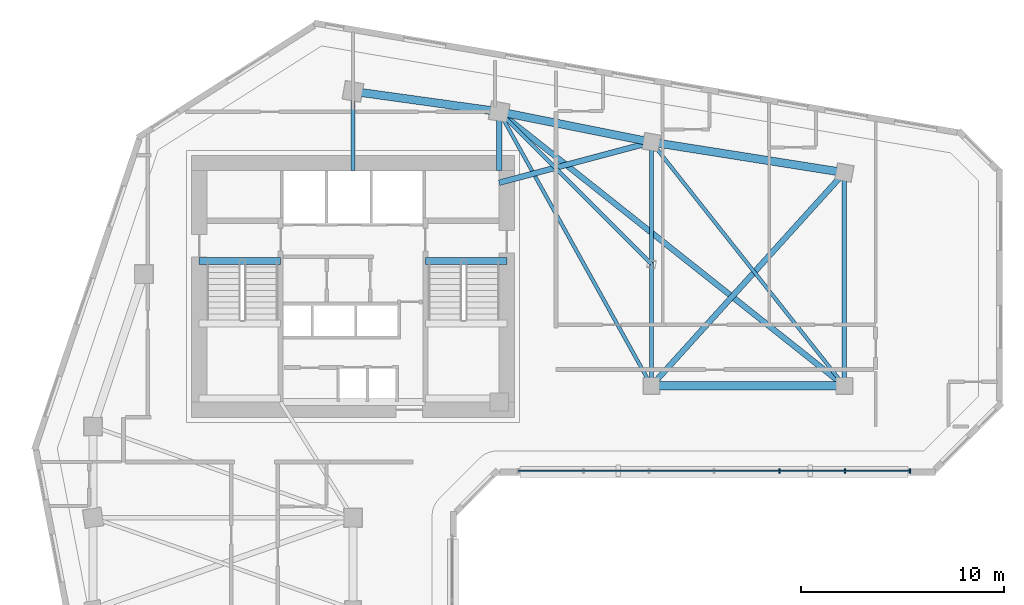
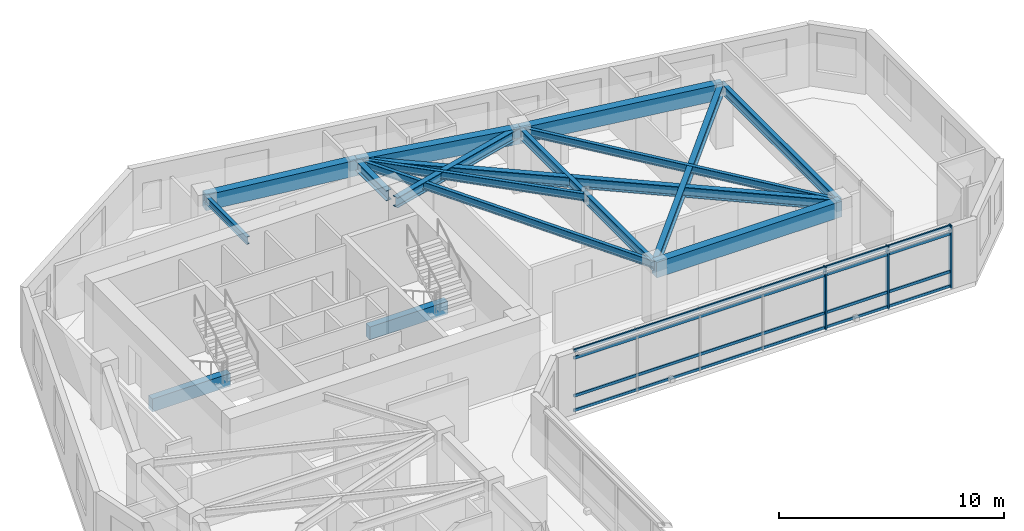
# One storey, part 3 of 11: 16 beams, 7 members, 1 element without a shape of its own.
"""IFC4 building model written with IfcOpenShell, lengths in metres."""

from ifc_helpers import new_model, si_unit, direction, frame, origin, origin_2d, place, context, subcontext, project, spatial, rectangle, i_section, extrude, source, transform, mapped, material, material_profile, profile_set, type_object, element, aggregate, save


model = new_model("IFC4")

# Units and contexts
model_context = context("Model", 3, precision=1e-05, world=origin(), true_north=direction((0.0, 1.0)))
body_context = subcontext(model_context, "Body", "Model", "MODEL_VIEW")
ifc_project = project(units=[si_unit("LENGTHUNIT", "METRE"), si_unit("AREAUNIT", "SQUARE_METRE"), si_unit("VOLUMEUNIT", "CUBIC_METRE"), si_unit("PLANEANGLEUNIT", "RADIAN"), si_unit("MASSUNIT", "GRAM", prefix="KILO")], contexts=[model_context])

# Site, building, storey
site_placement = place(None, origin())
site = spatial("IfcSite", under=ifc_project, at=site_placement, CompositionType="ELEMENT")
building_placement = place(site_placement, origin())
building = spatial("IfcBuilding", under=site, at=building_placement, Name="Calvemar Wedge Station Tower", CompositionType="ELEMENT")
storey_placement = place(building_placement, frame((0.0, 0.0, 114.199951171875)))
storey = spatial("IfcBuildingStorey", under=building, at=storey_placement, Name="L27", CompositionType="ELEMENT", Elevation=114.199951171875)

# Beams
ifc_material_1 = material(Name="Concrete C60", Category="concrete")
ifc_material_profile_1 = material_profile(ifc_material_1, rectangle(XDim=0.39990234375, YDim=0.85009765625, at=origin_2d()), Name="RC400x850")
ifc_profile_set_1 = profile_set([ifc_material_profile_1], Name="Concrete C60")
beam_type_1 = type_object("IfcBeamType", Name="BM-SP1-850", PredefinedType="SPANDREL", material=ifc_profile_set_1)
shared_shape_1 = source(origin(), body_context, "Body", "SweptSolid", [
    extrude(rectangle(XDim=0.39990234375, YDim=0.85009765625, at=origin_2d()), origin(), (0.0, 0.0, 1.0), 7.26904296875),
])
beam_1_placement = place(storey_placement, frame((23.800048828125, 49.5, 2.925048828125), z_axis=(0.990492146053, -0.13756928657, 0.0), x_axis=(0.13756928657, 0.990492146053, 0.0)))
element("IfcBeam", 1, at=beam_1_placement, inside=storey, type_object=beam_type_1, Name="Storey L27 Spandrel T-N1-T-N2", PredefinedType="SPANDREL", context=body_context, shape_type="MappedRepresentation", body=[
    mapped(shared_shape_1, transform((0.0, 0.0, 0.0), scale=1.0)),
])
shared_shape_2 = source(origin(), body_context, "Body", "SweptSolid", [
    extrude(rectangle(XDim=0.39990234375, YDim=0.85009765625, at=origin_2d()), origin(), (0.0, 0.0, 1.0), 7.6484375),
])
beam_2_placement = place(storey_placement, frame((31.0, 48.5, 2.925048828125), z_axis=(0.980580675691, -0.196116135138, 0.0), x_axis=(0.196116135138, 0.980580675691, 0.0)))
element("IfcBeam", 2, at=beam_2_placement, inside=storey, type_object=beam_type_1, Name="Storey L27 Spandrel T-N2-T-NU3", PredefinedType="SPANDREL", context=body_context, shape_type="MappedRepresentation", body=[
    mapped(shared_shape_2, transform((0.0, 0.0, 0.0), scale=1.0)),
])
shared_shape_3 = source(origin(), body_context, "Body", "SweptSolid", [
    extrude(rectangle(XDim=0.39990234375, YDim=0.85009765625, at=origin_2d()), origin(), (0.0, 0.0, 1.0), 9.61767578125),
])
beam_3_placement = place(storey_placement, frame((38.5, 47.0, 2.925048828125), z_axis=(0.987762965329, -0.155962573473, 0.0), x_axis=(0.155962573473, 0.987762965329, 0.0)))
element("IfcBeam", 3, at=beam_3_placement, inside=storey, type_object=beam_type_1, Name="Storey L27 Spandrel T-NU3-T-NU4", PredefinedType="SPANDREL", context=body_context, shape_type="MappedRepresentation", body=[
    mapped(shared_shape_3, transform((0.0, 0.0, 0.0), scale=1.0)),
])
shared_shape_4 = source(origin(), body_context, "Body", "SweptSolid", [
    extrude(rectangle(XDim=0.39990234375, YDim=0.85009765625, at=origin_2d()), origin(), (0.0, 0.0, 1.0), 9.5),
])
beam_4_placement = place(storey_placement, frame((38.5, 35.0, 2.925048828125), z_axis=(1.0, 0.0, 0.0), x_axis=(0.0, 1.0, 0.0)))
element("IfcBeam", 4, at=beam_4_placement, inside=storey, type_object=beam_type_1, Name="Storey L27 Spandrel T-NL2-T-NL3", PredefinedType="SPANDREL", context=body_context, shape_type="MappedRepresentation", body=[
    mapped(shared_shape_4, transform((0.0, 0.0, 0.0), scale=1.0)),
])
ifc_material_2 = material(Name="Structural steel ASTM A572 Grade 50", Category="steel")
ifc_material_profile_2 = material_profile(ifc_material_2, i_section(OverallWidth=0.177978515625, OverallDepth=0.406982421875, WebThickness=0.0078125, FlangeThickness=0.0126953125, FilletRadius=0.010009765625, at=origin_2d()), Name="W410x60")
ifc_profile_set_2 = profile_set([ifc_material_profile_2], Name="Structural steel ASTM A572 Grade 50")
beam_type_2 = type_object("IfcBeamType", Name="BM-J3-W410", PredefinedType="JOIST", material=ifc_profile_set_2)
shared_shape_5 = source(origin(), body_context, "Body", "SweptSolid", [
    extrude(i_section(OverallWidth=0.177978515625, OverallDepth=0.406982421875, WebThickness=0.0078125, FlangeThickness=0.0126953125, FilletRadius=0.010009765625, at=origin_2d()), origin(), (0.0, 0.0, 1.0), 15.443359375),
])
beam_5_placement = place(storey_placement, frame((31.0, 48.5, 3.146484375), z_axis=(0.485642931179, -0.874157276122, 0.0), x_axis=(0.874157276122, 0.485642931179, 0.0)))
element("IfcBeam", 5, at=beam_5_placement, inside=storey, type_object=beam_type_2, Name="Storey L27 Floor Beam T-N2-T-NL2", PredefinedType="JOIST", context=body_context, shape_type="MappedRepresentation", body=[
    mapped(shared_shape_5, transform((0.0, 0.0, 0.0), scale=1.0)),
])
ifc_material_profile_3 = material_profile(ifc_material_2, i_section(OverallWidth=0.279052734375, OverallDepth=0.553955078125, WebThickness=0.017578125, FlangeThickness=0.029541015625, FilletRadius=0.014892578125, at=origin_2d()), Name="W530x196")
ifc_profile_set_3 = profile_set([ifc_material_profile_3], Name="Structural steel ASTM A572 Grade 50")
beam_type_3 = type_object("IfcBeamType", Name="BM-SB3-W530H", PredefinedType="BEAM", material=ifc_profile_set_3)
shared_shape_6 = source(origin(), body_context, "Body", "SweptSolid", [
    extrude(i_section(OverallWidth=0.279052734375, OverallDepth=0.553955078125, WebThickness=0.017578125, FlangeThickness=0.029541015625, FilletRadius=0.014892578125, at=origin_2d()), origin(), (0.0, 0.0, 1.0), 21.708251953125),
])
beam_6_placement = place(storey_placement, frame((31.0, 48.5, 3.072998046875), z_axis=(0.783110847498, -0.621882143602, 0.0), x_axis=(0.621882143602, 0.783110847498, 0.0)))
element("IfcBeam", 6, at=beam_6_placement, inside=storey, type_object=beam_type_3, Name="Storey L27 Floor Beam T-N2-T-NL3", PredefinedType="BEAM", context=body_context, shape_type="MappedRepresentation", body=[
    mapped(shared_shape_6, transform((0.0, 0.0, 0.0), scale=1.0)),
])
shared_shape_7 = source(origin(), body_context, "Body", "SweptSolid", [
    extrude(i_section(OverallWidth=0.177978515625, OverallDepth=0.406982421875, WebThickness=0.0078125, FlangeThickness=0.0126953125, FilletRadius=0.010009765625, at=origin_2d()), origin(), (0.0, 0.0, 1.0), 15.30517578125),
])
beam_7_placement = place(storey_placement, frame((38.5, 47.0, 3.146484375), z_axis=(0.620702944366, -0.784045824462, 0.0), x_axis=(0.784045824462, 0.620702944366, 0.0)))
element("IfcBeam", 7, at=beam_7_placement, inside=storey, type_object=beam_type_2, Name="Storey L27 Floor Beam T-NU3-T-NL3", PredefinedType="JOIST", context=body_context, shape_type="MappedRepresentation", body=[
    mapped(shared_shape_7, transform((0.0, 0.0, 0.0), scale=1.0)),
])
shared_shape_8 = source(origin(), body_context, "Body", "SweptSolid", [
    extrude(i_section(OverallWidth=0.279052734375, OverallDepth=0.553955078125, WebThickness=0.017578125, FlangeThickness=0.029541015625, FilletRadius=0.014892578125, at=origin_2d()), origin(), (0.0, 0.0, 1.0), 14.159912109375),
])
beam_8_placement = place(storey_placement, frame((38.5, 35.0, 3.072998046875), z_axis=(0.670913323969, 0.741535779124, 0.0), x_axis=(-0.741535779124, 0.670913323969, 0.0)))
element("IfcBeam", 8, at=beam_8_placement, inside=storey, type_object=beam_type_3, Name="Storey L27 Floor Beam T-NL2-T-NU4", PredefinedType="BEAM", context=body_context, shape_type="MappedRepresentation", body=[
    mapped(shared_shape_8, transform((0.0, 0.0, 0.0), scale=1.0)),
])
shared_shape_9 = source(origin(), body_context, "Body", "SweptSolid", [
    extrude(i_section(OverallWidth=0.279052734375, OverallDepth=0.553955078125, WebThickness=0.017578125, FlangeThickness=0.029541015625, FilletRadius=0.014892578125, at=origin_2d()), origin(), (0.0, 0.0, 1.0), 7.76220703125),
])
beam_9_placement = place(storey_placement, frame((31.0, 45.0, 3.072998046875), z_axis=(0.966234939601, 0.25766265056, 0.0), x_axis=(-0.25766265056, 0.966234939601, 0.0)))
element("IfcBeam", 9, at=beam_9_placement, inside=storey, type_object=beam_type_3, Name="Storey L27 Core-to-Column Joist CJ-E2", PredefinedType="BEAM", context=body_context, shape_type="MappedRepresentation", body=[
    mapped(shared_shape_9, transform((0.0, 0.0, 0.0), scale=1.0)),
])
shared_shape_10 = source(origin(), body_context, "Body", "SweptSolid", [
    extrude(i_section(OverallWidth=0.177978515625, OverallDepth=0.406982421875, WebThickness=0.0078125, FlangeThickness=0.0126953125, FilletRadius=0.010009765625, at=origin_2d()), origin(), (0.0, 0.0, 1.0), 3.89990234375),
])
beam_10_placement = place(storey_placement, frame((23.800048828125, 45.60009765625, 3.146484375), z_axis=(0.0, 1.0, 0.0), x_axis=(-1.0, 0.0, 0.0)))
element("IfcBeam", 10, at=beam_10_placement, inside=storey, type_object=beam_type_2, Name="Storey L27 Core-to-Column Joist CJ-N1", PredefinedType="JOIST", context=body_context, shape_type="MappedRepresentation", body=[
    mapped(shared_shape_10, transform((0.0, 0.0, 0.0), scale=1.0)),
])
shared_shape_11 = source(origin(), body_context, "Body", "SweptSolid", [
    extrude(i_section(OverallWidth=0.279052734375, OverallDepth=0.553955078125, WebThickness=0.017578125, FlangeThickness=0.029541015625, FilletRadius=0.014892578125, at=origin_2d()), origin(), (0.0, 0.0, 1.0), 2.89990234375),
])
beam_11_placement = place(storey_placement, frame((31.0, 45.60009765625, 3.072998046875), z_axis=(0.0, 1.0, 0.0), x_axis=(-1.0, 0.0, 0.0)))
element("IfcBeam", 11, at=beam_11_placement, inside=storey, type_object=beam_type_3, Name="Storey L27 Core-to-Column Joist CJ-N2", PredefinedType="BEAM", context=body_context, shape_type="MappedRepresentation", body=[
    mapped(shared_shape_11, transform((0.0, 0.0, 0.0), scale=1.0)),
])
ifc_material_3 = material(Name="Concrete C70", Category="concrete")
ifc_material_profile_4 = material_profile(ifc_material_3, rectangle(XDim=0.35009765625, YDim=0.699951171875, at=origin_2d()), Name="RC350x700")
ifc_profile_set_4 = profile_set([ifc_material_profile_4], Name="Concrete C70")
beam_type_4 = type_object("IfcBeamType", Name="BM-LN1-700", PredefinedType="LINTEL", material=ifc_profile_set_4)
shared_shape_12 = source(origin(), body_context, "Body", "SweptSolid", [
    extrude(rectangle(XDim=0.35009765625, YDim=0.699951171875, at=origin_2d()), origin(), (0.0, 0.0, 1.0), 4.0048828125),
])
for number, where, z_axis, x_axis, name in (
    (12, (16.22509765625, 41.14990234375, -0.349853515625), (1.0, 0.0, 0.0), (0.0, 1.0, 0.0), "Storey L27 Stair ST-C1 Landing Trimmer Beam"),
    (13, (27.3701171875, 41.14990234375, -0.349853515625), (1.0, 0.0, 0.0), (0.0, 1.0, 0.0), "Storey L27 Stair ST-C2 Landing Trimmer Beam"),
):
    element("IfcBeam", number, at=place(storey_placement, frame(where, z_axis=z_axis, x_axis=x_axis)), inside=storey, type_object=beam_type_4, Name=name, PredefinedType="LINTEL", context=body_context, shape_type="MappedRepresentation", body=[
        mapped(shared_shape_12, transform((0.0, 0.0, 0.0), scale=1.0)),
    ])
ifc_material_profile_5 = material_profile(ifc_material_2, i_section(OverallWidth=0.2109375, OverallDepth=0.5390625, WebThickness=0.01171875, FlangeThickness=0.018798828125, FilletRadius=0.012939453125, at=origin_2d()), Name="W530x109")
ifc_profile_set_5 = profile_set([ifc_material_profile_5], Name="Structural steel ASTM A572 Grade 50")
beam_type_5 = type_object("IfcBeamType", Name="BM-SB4-W530", PredefinedType="BEAM", material=ifc_profile_set_5)
shared_shape_13 = source(origin(), body_context, "Body", "SweptSolid", [
    extrude(i_section(OverallWidth=0.2109375, OverallDepth=0.5390625, WebThickness=0.01171875, FlangeThickness=0.018798828125, FilletRadius=0.012939453125, at=origin_2d()), origin(), (0.0, 0.0, 1.0), 12.0),
])
beam_12_placement = place(storey_placement, frame((38.5, 47.0, 3.08056640625), z_axis=(0.0, -1.0, 0.0), x_axis=(1.0, 0.0, 0.0)))
element("IfcBeam", 14, at=beam_12_placement, inside=storey, type_object=beam_type_5, Name="Storey L27 Floor Beam T-NU3-T-NL2", PredefinedType="BEAM", context=body_context, shape_type="MappedRepresentation", body=[
    mapped(shared_shape_13, transform((0.0, 0.0, 0.0), scale=1.0)),
])
shared_shape_14 = source(origin(), body_context, "Body", "SweptSolid", [
    extrude(i_section(OverallWidth=0.2109375, OverallDepth=0.5390625, WebThickness=0.01171875, FlangeThickness=0.018798828125, FilletRadius=0.012939453125, at=origin_2d()), origin(), (0.0, 0.0, 1.0), 10.5),
])
beam_13_placement = place(storey_placement, frame((48.0, 45.5, 3.08056640625), z_axis=(0.0, -1.0, 0.0), x_axis=(1.0, 0.0, 0.0)))
element("IfcBeam", 15, at=beam_13_placement, inside=storey, type_object=beam_type_5, Name="Storey L27 Floor Beam T-NU4-T-NL3", PredefinedType="BEAM", context=body_context, shape_type="MappedRepresentation", body=[
    mapped(shared_shape_14, transform((0.0, 0.0, 0.0), scale=1.0)),
])
shared_shape_15 = source(origin(), body_context, "Body", "SweptSolid", [
    extrude(i_section(OverallWidth=0.177978515625, OverallDepth=0.406982421875, WebThickness=0.0078125, FlangeThickness=0.0126953125, FilletRadius=0.010009765625, at=origin_2d()), origin(), (0.0, 0.0, 1.0), 10.606689453125),
])
beam_14_placement = place(storey_placement, frame((38.5, 41.0, 3.146484375), z_axis=(-0.707106781187, 0.707106781187, 0.0), x_axis=(-0.707106781187, -0.707106781187, 0.0)))
element("IfcBeam", 16, at=beam_14_placement, inside=storey, type_object=beam_type_2, Name="Storey L27 Floor Beam T-NTIP-B-T-N2", PredefinedType="JOIST", context=body_context, shape_type="MappedRepresentation", body=[
    mapped(shared_shape_15, transform((0.0, 0.0, 0.0), scale=1.0)),
])

# Curtain wall, members
ifc_material_4 = material(Name="Anodised aluminium 6063-T6", Category="aluminium")
curtain_wall_type = type_object("IfcCurtainWallType", Name="CW2", PredefinedType="NOTDEFINED", material=ifc_material_4)
curtain_wall_placement = place(storey_placement, origin())
curtain_wall = element("IfcCurtainWall", 17, at=curtain_wall_placement, inside=storey, type_object=curtain_wall_type, Name="Storey L27 CW2 Recessed Unitised Curtain Wall 6", PredefinedType="NOTDEFINED")
ifc_material_profile_6 = material_profile(ifc_material_4, rectangle(XDim=0.074951171875, YDim=0.14990234375, at=origin_2d()), Name="AL-TRN-75x150")
ifc_profile_set_6 = profile_set([ifc_material_profile_6], Name="Anodised aluminium 6063-T6")
member_type_1 = type_object("IfcMemberType", Name="CW2-TRN", PredefinedType="USERDEFINED", material=ifc_profile_set_6)
shared_shape_16 = source(origin(), body_context, "Body", "SweptSolid", [
    extrude(rectangle(XDim=0.074951171875, YDim=0.14990234375, at=origin_2d()), origin(), (0.0, 0.0, 1.0), 19.303955078125),
])
member_1_placement = place(storey_placement, frame((31.933837890625, 30.802001953125, 0.06005859375), z_axis=(1.0, 0.0, 0.0), x_axis=(0.0, 1.0, 0.0)))
member_1 = element("IfcMember", 18, at=member_1_placement, type_object=member_type_1, Name="CW2 transom 1", ObjectType="TRANSOM", PredefinedType="USERDEFINED", context=body_context, shape_type="MappedRepresentation", body=[
    mapped(shared_shape_16, transform((0.0, 0.0, 0.0), scale=1.0)),
])
member_2_placement = place(storey_placement, frame((31.933837890625, 30.802001953125, 0.85009765625), z_axis=(1.0, 0.0, 0.0), x_axis=(0.0, 1.0, 0.0)))
member_2 = element("IfcMember", 19, at=member_2_placement, type_object=member_type_1, Name="CW2 transom 2", ObjectType="TRANSOM", PredefinedType="USERDEFINED", context=body_context, shape_type="MappedRepresentation", body=[
    mapped(shared_shape_16, transform((0.0, 0.0, 0.0), scale=1.0)),
])
member_3_placement = place(storey_placement, frame((31.933837890625, 30.802001953125, 2.900146484375), z_axis=(1.0, 0.0, 0.0), x_axis=(0.0, 1.0, 0.0)))
member_3 = element("IfcMember", 20, at=member_3_placement, type_object=member_type_1, Name="CW2 transom 3", ObjectType="TRANSOM", PredefinedType="USERDEFINED", context=body_context, shape_type="MappedRepresentation", body=[
    mapped(shared_shape_16, transform((0.0, 0.0, 0.0), scale=1.0)),
])
member_4_placement = place(storey_placement, frame((31.933837890625, 30.802001953125, 3.2900390625), z_axis=(1.0, 0.0, 0.0), x_axis=(0.0, 1.0, 0.0)))
member_4 = element("IfcMember", 21, at=member_4_placement, type_object=member_type_1, Name="CW2 transom 4", ObjectType="TRANSOM", PredefinedType="USERDEFINED", context=body_context, shape_type="MappedRepresentation", body=[
    mapped(shared_shape_16, transform((0.0, 0.0, 0.0), scale=1.0)),
])
ifc_material_profile_7 = material_profile(ifc_material_4, rectangle(XDim=0.074951171875, YDim=0.219970703125, at=origin_2d()), Name="AL-MUL-75x220")
ifc_profile_set_7 = profile_set([ifc_material_profile_7], Name="Anodised aluminium 6063-T6")
member_type_2 = type_object("IfcMemberType", Name="CW2-MUL", PredefinedType="MULLION", material=ifc_profile_set_7)
shared_shape_17 = source(origin(), body_context, "Body", "SweptSolid", [
    extrude(rectangle(XDim=0.074951171875, YDim=0.219970703125, at=origin_2d()), origin(), (0.0, 0.0, 1.0), 3.400146484375),
])
member_5_placement = place(storey_placement, frame((44.80322265625, 30.802001953125, -0.050048828125), z_axis=(0.0, 0.0, 1.0), x_axis=(1.0, 0.0, 0.0)))
member_5 = element("IfcMember", 22, at=member_5_placement, type_object=member_type_2, Name="CW2 mullion 5", PredefinedType="MULLION", context=body_context, shape_type="MappedRepresentation", body=[
    mapped(shared_shape_17, transform((0.0, 0.0, 0.0), scale=1.0)),
])
member_6_placement = place(storey_placement, frame((48.0205078125, 30.802001953125, -0.050048828125), z_axis=(0.0, 0.0, 1.0), x_axis=(1.0, 0.0, 0.0)))
member_6 = element("IfcMember", 23, at=member_6_placement, type_object=member_type_2, Name="CW2 mullion 6", PredefinedType="MULLION", context=body_context, shape_type="MappedRepresentation", body=[
    mapped(shared_shape_17, transform((0.0, 0.0, 0.0), scale=1.0)),
])
member_7_placement = place(storey_placement, frame((51.23779296875, 30.802001953125, -0.050048828125), z_axis=(0.0, 0.0, 1.0), x_axis=(1.0, 0.0, 0.0)))
member_7 = element("IfcMember", 24, at=member_7_placement, type_object=member_type_2, Name="CW2 mullion 7", PredefinedType="MULLION", context=body_context, shape_type="MappedRepresentation", body=[
    mapped(shared_shape_17, transform((0.0, 0.0, 0.0), scale=1.0)),
])
aggregate(curtain_wall, [member_5, member_6, member_7, member_1, member_2, member_3, member_4])

save(model, "model.ifc")
